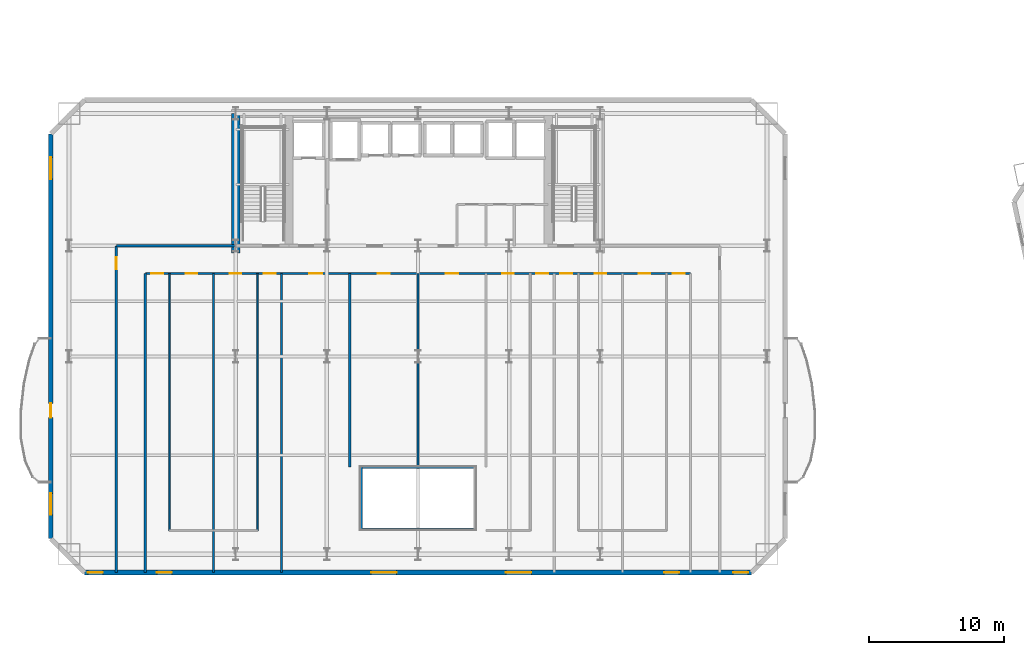
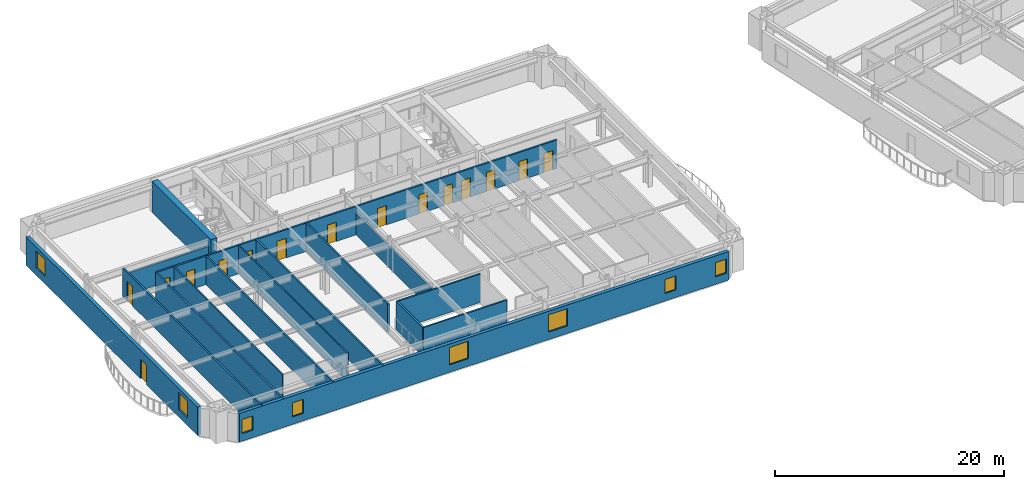
# One storey, part 5 of 17: 16 walls, 15 doors, 8 windows, 23 openings.
"""IFC4 building model written with IfcOpenShell, lengths in metres."""

from ifc_helpers import new_model, si_unit, direction, frame, frame_2d, origin, place, context, subcontext, project, spatial, rectangle, extrude, material, layer, layer_set, type_object, element, fill, save


model = new_model("IFC4")

# Units and contexts
model_context = context("Model", 3, precision=1e-05, world=origin(), true_north=direction((0.0, 1.0)))
body_context = subcontext(model_context, "Body", "Model", "MODEL_VIEW")
ifc_project = project(units=[si_unit("LENGTHUNIT", "METRE"), si_unit("AREAUNIT", "SQUARE_METRE"), si_unit("VOLUMEUNIT", "CUBIC_METRE"), si_unit("PLANEANGLEUNIT", "RADIAN"), si_unit("MASSUNIT", "GRAM", prefix="KILO")], contexts=[model_context])

# Site, building, storey
site_placement = place(None, origin())
site = spatial("IfcSite", under=ifc_project, at=site_placement, CompositionType="ELEMENT")
building_placement = place(site_placement, origin())
building = spatial("IfcBuilding", under=site, at=building_placement, Name="Haevon Station Towers", CompositionType="ELEMENT")
storey_placement = place(building_placement, frame((0.0, 0.0, 33.89990234375)))
storey = spatial("IfcBuildingStorey", under=building, at=storey_placement, Name="L07", CompositionType="ELEMENT", Elevation=33.89990234375)

# Walls
ifc_material_1 = material(Name="Gypsum board on steel stud", Category="steel")
ifc_layer_1 = layer(ifc_material_1, 0.179931640625)
ifc_layer_set_1 = layer_set([ifc_layer_1], Name="Gypsum board on steel stud")
wall_type_1 = type_object("IfcWallType", Name="WL-ACU180", PredefinedType="PARTITIONING", material=ifc_layer_set_1)
wall_1_placement = place(storey_placement, frame((15.14990234375, 38.199951171875, 0.0), z_axis=(0.0, 0.0, 1.0), x_axis=(1.0, 0.0, 0.0)))
element("IfcWall", 1, at=wall_1_placement, inside=storey, type_object=wall_type_1, Name="WL-T1PT-L07-03", PredefinedType="PARTITIONING", context=body_context, shape_type="SweptSolid", body=[
    extrude(rectangle(XDim=8.85009765625, YDim=0.179931640625, at=frame_2d((4.425048828125, 0.0))), origin(), (0.0, 0.0, 1.0), 2.330078125),
])
wall_2_placement = place(storey_placement, frame((33.300048828125, 17.199951171875, 0.0), z_axis=(0.0, 0.0, 1.0), x_axis=(0.0, 1.0, 0.0)))
element("IfcWall", 2, at=wall_2_placement, inside=storey, type_object=wall_type_1, Name="WL-T1PT-L07-09", PredefinedType="PARTITIONING", context=body_context, shape_type="SweptSolid", body=[
    extrude(rectangle(XDim=4.60009765625, YDim=0.179931640625, at=frame_2d((2.300048828125, 0.0))), origin(), (0.0, 0.0, 1.0), 3.030029296875),
])
wall_3_placement = place(storey_placement, frame((37.5, 21.800048828125, 0.0), z_axis=(0.0, 0.0, 1.0), x_axis=(0.0, 1.0, 0.0)))
element("IfcWall", 3, at=wall_3_placement, inside=storey, type_object=wall_type_1, Name="WL-T1PT-L07-18", PredefinedType="PARTITIONING", context=body_context, shape_type="SweptSolid", body=[
    extrude(rectangle(XDim=14.349853515625, YDim=0.179931640625, at=frame_2d((7.1748046875, 0.0))), origin(), (0.0, 0.0, 1.0), 2.330078125),
])

# Wall, openings, doors
wall_4_placement = place(storey_placement, frame((17.300048828125, 36.14990234375, 0.0), z_axis=(0.0, 0.0, 1.0), x_axis=(1.0, 0.0, 0.0)))
wall_4 = element("IfcWall", 4, at=wall_4_placement, inside=storey, type_object=wall_type_1, Name="WL-T1PT-L07-30", PredefinedType="PARTITIONING", context=body_context, shape_type="SweptSolid", body=[
    extrude(rectangle(XDim=40.39990234375, YDim=0.179931640625, at=frame_2d((20.199951171875, 0.0))), origin(), (0.0, 0.0, 1.0), 3.030029296875),
])
opening_1_placement = place(wall_4_placement, frame((2.989990234375, 0.0, 0.0)))
opening_1 = element("IfcOpeningElement", 5, at=opening_1_placement, cuts=wall_4, Name="Opening DR-WL-T1PT-L07-30-01", PredefinedType="OPENING", context=body_context, shape_type="SweptSolid", body=[
    extrude(rectangle(XDim=0.85009765625, YDim=2.050048828125, at=frame_2d((0.425048828125, 1.02490234375))), frame((0.0, 0.099853515625, 0.0), z_axis=(0.0, -1.0, 0.0), x_axis=(1.0, 0.0, 0.0)), (0.0, 0.0, 1.0), 0.199951171875),
])
opening_2_placement = place(wall_4_placement, frame((0.43994140625, 0.0, 0.0)))
opening_2 = element("IfcOpeningElement", 6, at=opening_2_placement, cuts=wall_4, Name="Opening DR-WL-T1PT-L07-30-02", PredefinedType="OPENING", context=body_context, shape_type="SweptSolid", body=[
    extrude(rectangle(XDim=0.89990234375, YDim=2.050048828125, at=frame_2d((0.449951171875, 1.02490234375))), frame((0.0, 0.099853515625, 0.0), z_axis=(0.0, -1.0, 0.0), x_axis=(1.0, 0.0, 0.0)), (0.0, 0.0, 1.0), 0.199951171875),
])
opening_3_placement = place(wall_4_placement, frame((6.260009765625, 0.0, 0.0)))
opening_3 = element("IfcOpeningElement", 7, at=opening_3_placement, cuts=wall_4, Name="Opening DR-WL-T1PT-L07-30-03", PredefinedType="OPENING", context=body_context, shape_type="SweptSolid", body=[
    extrude(rectangle(XDim=0.85009765625, YDim=2.050048828125, at=frame_2d((0.425048828125, 1.02490234375))), frame((0.0, 0.099853515625, 0.0), z_axis=(0.0, -1.0, 0.0), x_axis=(1.0, 0.0, 0.0)), (0.0, 0.0, 1.0), 0.199951171875),
])
opening_4_placement = place(wall_4_placement, frame((8.760009765625, 0.0, 0.0)))
opening_4 = element("IfcOpeningElement", 8, at=opening_4_placement, cuts=wall_4, Name="Opening DR-WL-T1PT-L07-30-04", PredefinedType="OPENING", context=body_context, shape_type="SweptSolid", body=[
    extrude(rectangle(XDim=0.89990234375, YDim=2.050048828125, at=frame_2d((0.449951171875, 1.02490234375))), frame((0.0, 0.099853515625, 0.0), z_axis=(0.0, -1.0, 0.0), x_axis=(1.0, 0.0, 0.0)), (0.0, 0.0, 1.0), 0.199951171875),
])
opening_5_placement = place(wall_4_placement, frame((12.14990234375, 0.0, 0.0)))
opening_5 = element("IfcOpeningElement", 9, at=opening_5_placement, cuts=wall_4, Name="Opening DR-WL-T1PT-L07-30-05", PredefinedType="OPENING", context=body_context, shape_type="SweptSolid", body=[
    extrude(rectangle(XDim=0.949951171875, YDim=2.10009765625, at=frame_2d((0.47509765625, 1.050048828125))), frame((0.0, 0.099853515625, 0.0), z_axis=(0.0, -1.0, 0.0), x_axis=(1.0, 0.0, 0.0)), (0.0, 0.0, 1.0), 0.199951171875),
])
opening_6_placement = place(wall_4_placement, frame((17.22509765625, 0.0, 0.0)))
opening_6 = element("IfcOpeningElement", 10, at=opening_6_placement, cuts=wall_4, Name="Opening DR-WL-T1PT-L07-30-06", PredefinedType="OPENING", context=body_context, shape_type="SweptSolid", body=[
    extrude(rectangle(XDim=0.89990234375, YDim=2.050048828125, at=frame_2d((0.449951171875, 1.02490234375))), frame((0.0, 0.099853515625, 0.0), z_axis=(0.0, -1.0, 0.0), x_axis=(1.0, 0.0, 0.0)), (0.0, 0.0, 1.0), 0.199951171875),
])
opening_7_placement = place(wall_4_placement, frame((22.27490234375, 0.0, 0.0)))
opening_7 = element("IfcOpeningElement", 11, at=opening_7_placement, cuts=wall_4, Name="Opening DR-WL-T1PT-L07-30-07", PredefinedType="OPENING", context=body_context, shape_type="SweptSolid", body=[
    extrude(rectangle(XDim=0.89990234375, YDim=2.050048828125, at=frame_2d((0.449951171875, 1.02490234375))), frame((0.0, 0.099853515625, 0.0), z_axis=(0.0, -1.0, 0.0), x_axis=(1.0, 0.0, 0.0)), (0.0, 0.0, 1.0), 0.199951171875),
])
opening_8_placement = place(wall_4_placement, frame((26.4599609375, 0.0, 0.0)))
opening_8 = element("IfcOpeningElement", 12, at=opening_8_placement, cuts=wall_4, Name="Opening DR-WL-T1PT-L07-30-08", PredefinedType="OPENING", context=body_context, shape_type="SweptSolid", body=[
    extrude(rectangle(XDim=0.85009765625, YDim=2.050048828125, at=frame_2d((0.425048828125, 1.02490234375))), frame((0.0, 0.099853515625, 0.0), z_axis=(0.0, -1.0, 0.0), x_axis=(1.0, 0.0, 0.0)), (0.0, 0.0, 1.0), 0.199951171875),
])
opening_9_placement = place(wall_4_placement, frame((28.9599609375, 0.0, 0.0)))
opening_9 = element("IfcOpeningElement", 13, at=opening_9_placement, cuts=wall_4, Name="Opening DR-WL-T1PT-L07-30-09", PredefinedType="OPENING", context=body_context, shape_type="SweptSolid", body=[
    extrude(rectangle(XDim=0.89990234375, YDim=2.050048828125, at=frame_2d((0.449951171875, 1.02490234375))), frame((0.0, 0.099853515625, 0.0), z_axis=(0.0, -1.0, 0.0), x_axis=(1.0, 0.0, 0.0)), (0.0, 0.0, 1.0), 0.199951171875),
])
opening_10_placement = place(wall_4_placement, frame((33.2900390625, 0.0, 0.0)))
opening_10 = element("IfcOpeningElement", 14, at=opening_10_placement, cuts=wall_4, Name="Opening DR-WL-T1PT-L07-30-10", PredefinedType="OPENING", context=body_context, shape_type="SweptSolid", body=[
    extrude(rectangle(XDim=0.85009765625, YDim=2.050048828125, at=frame_2d((0.425048828125, 1.02490234375))), frame((0.0, 0.099853515625, 0.0), z_axis=(0.0, -1.0, 0.0), x_axis=(1.0, 0.0, 0.0)), (0.0, 0.0, 1.0), 0.199951171875),
])
opening_11_placement = place(wall_4_placement, frame((30.739990234375, 0.0, 0.0)))
opening_11 = element("IfcOpeningElement", 15, at=opening_11_placement, cuts=wall_4, Name="Opening DR-WL-T1PT-L07-30-11", PredefinedType="OPENING", context=body_context, shape_type="SweptSolid", body=[
    extrude(rectangle(XDim=0.89990234375, YDim=2.050048828125, at=frame_2d((0.449951171875, 1.02490234375))), frame((0.0, 0.099853515625, 0.0), z_axis=(0.0, -1.0, 0.0), x_axis=(1.0, 0.0, 0.0)), (0.0, 0.0, 1.0), 0.199951171875),
])
opening_12_placement = place(wall_4_placement, frame((36.56005859375, 0.0, 0.0)))
opening_12 = element("IfcOpeningElement", 16, at=opening_12_placement, cuts=wall_4, Name="Opening DR-WL-T1PT-L07-30-12", PredefinedType="OPENING", context=body_context, shape_type="SweptSolid", body=[
    extrude(rectangle(XDim=0.85009765625, YDim=2.050048828125, at=frame_2d((0.425048828125, 1.02490234375))), frame((0.0, 0.099853515625, 0.0), z_axis=(0.0, -1.0, 0.0), x_axis=(1.0, 0.0, 0.0)), (0.0, 0.0, 1.0), 0.199951171875),
])
opening_13_placement = place(wall_4_placement, frame((39.06005859375, 0.0, 0.0)))
opening_13 = element("IfcOpeningElement", 17, at=opening_13_placement, cuts=wall_4, Name="Opening DR-WL-T1PT-L07-30-13", PredefinedType="OPENING", context=body_context, shape_type="SweptSolid", body=[
    extrude(rectangle(XDim=0.89990234375, YDim=2.050048828125, at=frame_2d((0.449951171875, 1.02490234375))), frame((0.0, 0.099853515625, 0.0), z_axis=(0.0, -1.0, 0.0), x_axis=(1.0, 0.0, 0.0)), (0.0, 0.0, 1.0), 0.199951171875),
])
ifc_material_2 = material(Name="Engineered oak timber", Category="wood")
door_type_1 = type_object("IfcDoorType", Name="DR-FD30-850", OperationType="NOTDEFINED", PredefinedType="DOOR", material=ifc_material_2)
door_1_placement = place(opening_1_placement, origin())
door_1 = element("IfcDoor", 18, at=door_1_placement, inside=storey, type_object=door_type_1, Name="L07 Tower 1 Room Door 30-1", OperationType="SINGLE_SWING_LEFT", OverallHeight=2.050048828125, OverallWidth=0.85009765625, PredefinedType="DOOR", context=body_context, shape_type="SweptSolid", body=[
    extrude(rectangle(XDim=0.85009765625, YDim=2.050048828125, at=frame_2d((0.425048828125, 1.02490234375))), frame((0.0, 0.02490234375, 0.0), z_axis=(0.0, -1.0, 0.0), x_axis=(1.0, 0.0, 0.0)), (0.0, 0.0, 1.0), 0.050048828125),
])
fill(opening_1, door_1)
door_2_placement = place(opening_3_placement, origin())
door_2 = element("IfcDoor", 19, at=door_2_placement, inside=storey, type_object=door_type_1, Name="L07 Tower 1 Room Door 30-3", OperationType="SINGLE_SWING_LEFT", OverallHeight=2.050048828125, OverallWidth=0.85009765625, PredefinedType="DOOR", context=body_context, shape_type="SweptSolid", body=[
    extrude(rectangle(XDim=0.85009765625, YDim=2.050048828125, at=frame_2d((0.425048828125, 1.02490234375))), frame((0.0, 0.02490234375, 0.0), z_axis=(0.0, -1.0, 0.0), x_axis=(1.0, 0.0, 0.0)), (0.0, 0.0, 1.0), 0.050048828125),
])
fill(opening_3, door_2)
door_3_placement = place(opening_8_placement, origin())
door_3 = element("IfcDoor", 20, at=door_3_placement, inside=storey, type_object=door_type_1, Name="L07 Tower 1 Room Door 30-8", OperationType="SINGLE_SWING_RIGHT", OverallHeight=2.050048828125, OverallWidth=0.85009765625, PredefinedType="DOOR", context=body_context, shape_type="SweptSolid", body=[
    extrude(rectangle(XDim=0.85009765625, YDim=2.050048828125, at=frame_2d((0.425048828125, 1.02490234375))), frame((0.0, 0.02490234375, 0.0), z_axis=(0.0, -1.0, 0.0), x_axis=(1.0, 0.0, 0.0)), (0.0, 0.0, 1.0), 0.050048828125),
])
fill(opening_8, door_3)
door_4_placement = place(opening_10_placement, origin())
door_4 = element("IfcDoor", 21, at=door_4_placement, inside=storey, type_object=door_type_1, Name="L07 Tower 1 Room Door 30-10", OperationType="SINGLE_SWING_RIGHT", OverallHeight=2.050048828125, OverallWidth=0.85009765625, PredefinedType="DOOR", context=body_context, shape_type="SweptSolid", body=[
    extrude(rectangle(XDim=0.85009765625, YDim=2.050048828125, at=frame_2d((0.425048828125, 1.02490234375))), frame((0.0, 0.02490234375, 0.0), z_axis=(0.0, -1.0, 0.0), x_axis=(1.0, 0.0, 0.0)), (0.0, 0.0, 1.0), 0.050048828125),
])
fill(opening_10, door_4)
door_5_placement = place(opening_12_placement, origin())
door_5 = element("IfcDoor", 22, at=door_5_placement, inside=storey, type_object=door_type_1, Name="L07 Tower 1 Room Door 30-12", OperationType="SINGLE_SWING_RIGHT", OverallHeight=2.050048828125, OverallWidth=0.85009765625, PredefinedType="DOOR", context=body_context, shape_type="SweptSolid", body=[
    extrude(rectangle(XDim=0.85009765625, YDim=2.050048828125, at=frame_2d((0.425048828125, 1.02490234375))), frame((0.0, 0.02490234375, 0.0), z_axis=(0.0, -1.0, 0.0), x_axis=(1.0, 0.0, 0.0)), (0.0, 0.0, 1.0), 0.050048828125),
])
fill(opening_12, door_5)
door_type_2 = type_object("IfcDoorType", Name="DR-FD30-950", OperationType="NOTDEFINED", PredefinedType="DOOR", material=ifc_material_2)
door_6_placement = place(opening_5_placement, origin())
door_6 = element("IfcDoor", 23, at=door_6_placement, inside=storey, type_object=door_type_2, Name="L07 Tower 1 Room Door 30-5", OperationType="SINGLE_SWING_LEFT", OverallHeight=2.10009765625, OverallWidth=0.949951171875, PredefinedType="DOOR", context=body_context, shape_type="SweptSolid", body=[
    extrude(rectangle(XDim=0.949951171875, YDim=2.10009765625, at=frame_2d((0.47509765625, 1.050048828125))), frame((0.0, 0.02490234375, 0.0), z_axis=(0.0, -1.0, 0.0), x_axis=(1.0, 0.0, 0.0)), (0.0, 0.0, 1.0), 0.050048828125),
])
fill(opening_5, door_6)
door_type_3 = type_object("IfcDoorType", Name="DR-INT-900", OperationType="NOTDEFINED", PredefinedType="DOOR", material=ifc_material_2)
door_7_placement = place(opening_2_placement, origin())
door_7 = element("IfcDoor", 24, at=door_7_placement, inside=storey, type_object=door_type_3, Name="L07 Tower 1 Room Door 30-2", OperationType="SINGLE_SWING_RIGHT", OverallHeight=2.050048828125, OverallWidth=0.89990234375, PredefinedType="DOOR", context=body_context, shape_type="SweptSolid", body=[
    extrude(rectangle(XDim=0.89990234375, YDim=2.050048828125, at=frame_2d((0.449951171875, 1.02490234375))), frame((0.0, 0.02490234375, 0.0), z_axis=(0.0, -1.0, 0.0), x_axis=(1.0, 0.0, 0.0)), (0.0, 0.0, 1.0), 0.050048828125),
])
fill(opening_2, door_7)
door_8_placement = place(opening_4_placement, origin())
door_8 = element("IfcDoor", 25, at=door_8_placement, inside=storey, type_object=door_type_3, Name="L07 Tower 1 Room Door 30-4", OperationType="SINGLE_SWING_RIGHT", OverallHeight=2.050048828125, OverallWidth=0.89990234375, PredefinedType="DOOR", context=body_context, shape_type="SweptSolid", body=[
    extrude(rectangle(XDim=0.89990234375, YDim=2.050048828125, at=frame_2d((0.449951171875, 1.02490234375))), frame((0.0, 0.02490234375, 0.0), z_axis=(0.0, -1.0, 0.0), x_axis=(1.0, 0.0, 0.0)), (0.0, 0.0, 1.0), 0.050048828125),
])
fill(opening_4, door_8)
door_9_placement = place(opening_6_placement, origin())
door_9 = element("IfcDoor", 26, at=door_9_placement, inside=storey, type_object=door_type_3, Name="L07 Tower 1 Room Door 30-6", OperationType="SINGLE_SWING_RIGHT", OverallHeight=2.050048828125, OverallWidth=0.89990234375, PredefinedType="DOOR", context=body_context, shape_type="SweptSolid", body=[
    extrude(rectangle(XDim=0.89990234375, YDim=2.050048828125, at=frame_2d((0.449951171875, 1.02490234375))), frame((0.0, 0.02490234375, 0.0), z_axis=(0.0, -1.0, 0.0), x_axis=(1.0, 0.0, 0.0)), (0.0, 0.0, 1.0), 0.050048828125),
])
fill(opening_6, door_9)
door_10_placement = place(opening_7_placement, origin())
door_10 = element("IfcDoor", 27, at=door_10_placement, inside=storey, type_object=door_type_3, Name="L07 Tower 1 Room Door 30-7", OperationType="SINGLE_SWING_LEFT", OverallHeight=2.050048828125, OverallWidth=0.89990234375, PredefinedType="DOOR", context=body_context, shape_type="SweptSolid", body=[
    extrude(rectangle(XDim=0.89990234375, YDim=2.050048828125, at=frame_2d((0.449951171875, 1.02490234375))), frame((0.0, 0.02490234375, 0.0), z_axis=(0.0, -1.0, 0.0), x_axis=(1.0, 0.0, 0.0)), (0.0, 0.0, 1.0), 0.050048828125),
])
fill(opening_7, door_10)
door_11_placement = place(opening_9_placement, origin())
door_11 = element("IfcDoor", 28, at=door_11_placement, inside=storey, type_object=door_type_3, Name="L07 Tower 1 Room Door 30-9", OperationType="SINGLE_SWING_LEFT", OverallHeight=2.050048828125, OverallWidth=0.89990234375, PredefinedType="DOOR", context=body_context, shape_type="SweptSolid", body=[
    extrude(rectangle(XDim=0.89990234375, YDim=2.050048828125, at=frame_2d((0.449951171875, 1.02490234375))), frame((0.0, 0.02490234375, 0.0), z_axis=(0.0, -1.0, 0.0), x_axis=(1.0, 0.0, 0.0)), (0.0, 0.0, 1.0), 0.050048828125),
])
fill(opening_9, door_11)
door_12_placement = place(opening_11_placement, origin())
door_12 = element("IfcDoor", 29, at=door_12_placement, inside=storey, type_object=door_type_3, Name="L07 Tower 1 Room Door 30-11", OperationType="SINGLE_SWING_LEFT", OverallHeight=2.050048828125, OverallWidth=0.89990234375, PredefinedType="DOOR", context=body_context, shape_type="SweptSolid", body=[
    extrude(rectangle(XDim=0.89990234375, YDim=2.050048828125, at=frame_2d((0.449951171875, 1.02490234375))), frame((0.0, 0.02490234375, 0.0), z_axis=(0.0, -1.0, 0.0), x_axis=(1.0, 0.0, 0.0)), (0.0, 0.0, 1.0), 0.050048828125),
])
fill(opening_11, door_12)
door_13_placement = place(opening_13_placement, origin())
door_13 = element("IfcDoor", 30, at=door_13_placement, inside=storey, type_object=door_type_3, Name="L07 Tower 1 Room Door 30-13", OperationType="SINGLE_SWING_LEFT", OverallHeight=2.050048828125, OverallWidth=0.89990234375, PredefinedType="DOOR", context=body_context, shape_type="SweptSolid", body=[
    extrude(rectangle(XDim=0.89990234375, YDim=2.050048828125, at=frame_2d((0.449951171875, 1.02490234375))), frame((0.0, 0.02490234375, 0.0), z_axis=(0.0, -1.0, 0.0), x_axis=(1.0, 0.0, 0.0)), (0.0, 0.0, 1.0), 0.050048828125),
])
fill(opening_13, door_13)

# Wall
ifc_material_3 = material(Name="Concrete C60/75", Category="concrete")
ifc_layer_2 = layer(ifc_material_3, 0.60009765625)
ifc_layer_set_2 = layer_set([ifc_layer_2], Name="Concrete C60/75")
wall_type_2 = type_object("IfcWallType", Name="WL-CR600", PredefinedType="SHEAR", material=ifc_layer_set_2)
wall_5_placement = place(storey_placement, frame((24.0, 37.679931640625, 0.0), z_axis=(0.0, 0.0, 1.0), x_axis=(0.0, 1.0, 0.0)))
element("IfcWall", 31, at=wall_5_placement, inside=storey, type_object=wall_type_2, Name="WL-T1CR-L07-W", PredefinedType="SHEAR", context=body_context, shape_type="SweptSolid", body=[
    extrude(rectangle(XDim=10.320068359375, YDim=0.60009765625, at=frame_2d((5.16015625, 0.0))), origin(), (0.0, 0.0, 1.0), 3.300048828125),
])

# Wall, openings, windows
ifc_material_4 = material(Name="Precast concrete C45/55", Category="concrete")
ifc_layer_3 = layer(ifc_material_4, 0.340087890625)
ifc_layer_set_3 = layer_set([ifc_layer_3], Name="Precast concrete C45/55")
wall_type_3 = type_object("IfcWallType", Name="WL-EXT-PIER340", PredefinedType="SOLIDWALL", material=ifc_layer_set_3)
wall_6_placement = place(storey_placement, frame((62.199951171875, 14.0, 0.0), z_axis=(0.0, 0.0, 1.0), x_axis=(-1.0, 0.0, 0.0)))
wall_6 = element("IfcWall", 32, at=wall_6_placement, inside=storey, type_object=wall_type_3, Name="WL-T1-L07-S", PredefinedType="SOLIDWALL", context=body_context, shape_type="SweptSolid", body=[
    extrude(rectangle(XDim=49.39990234375, YDim=0.340087890625, at=frame_2d((24.699951171875, 0.0))), origin(), (0.0, 0.0, 1.0), 3.030029296875),
])
opening_14_placement = place(wall_6_placement, frame((48.050048828125, 0.0, 0.800048828125)))
opening_14 = element("IfcOpeningElement", 33, at=opening_14_placement, cuts=wall_6, Name="Opening WN-COR110", PredefinedType="OPENING", context=body_context, shape_type="SweptSolid", body=[
    extrude(rectangle(XDim=1.10009765625, YDim=1.5, at=frame_2d((0.550048828125, 0.75))), frame((0.0, 0.179931640625, 0.0), z_axis=(0.0, -1.0, 0.0), x_axis=(1.0, 0.0, 0.0)), (0.0, 0.0, 1.0), 0.360107421875),
])
opening_15_placement = place(wall_6_placement, frame((0.25, 0.0, 0.800048828125)))
opening_15 = element("IfcOpeningElement", 34, at=opening_15_placement, cuts=wall_6, Name="Opening WN-COR110", PredefinedType="OPENING", context=body_context, shape_type="SweptSolid", body=[
    extrude(rectangle(XDim=1.10009765625, YDim=1.5, at=frame_2d((0.550048828125, 0.75))), frame((0.0, 0.179931640625, 0.0), z_axis=(0.0, -1.0, 0.0), x_axis=(1.0, 0.0, 0.0)), (0.0, 0.0, 1.0), 0.360107421875),
])
opening_16_placement = place(wall_6_placement, frame((42.94140625, 0.0, 0.800048828125)))
opening_16 = element("IfcOpeningElement", 35, at=opening_16_placement, cuts=wall_6, Name="Opening WN-COR110", PredefinedType="OPENING", context=body_context, shape_type="SweptSolid", body=[
    extrude(rectangle(XDim=1.10009765625, YDim=1.5, at=frame_2d((0.550048828125, 0.75))), frame((0.0, 0.179931640625, 0.0), z_axis=(0.0, -1.0, 0.0), x_axis=(1.0, 0.0, 0.0)), (0.0, 0.0, 1.0), 0.360107421875),
])
opening_17_placement = place(wall_6_placement, frame((26.27490234375, 0.0, 0.800048828125)))
opening_17 = element("IfcOpeningElement", 36, at=opening_17_placement, cuts=wall_6, Name="Opening WN-P190", PredefinedType="OPENING", context=body_context, shape_type="SweptSolid", body=[
    extrude(rectangle(XDim=1.89990234375, YDim=1.85009765625, at=frame_2d((0.949951171875, 0.925048828125))), frame((0.0, 0.179931640625, 0.0), z_axis=(0.0, -1.0, 0.0), x_axis=(1.0, 0.0, 0.0)), (0.0, 0.0, 1.0), 0.360107421875),
])
opening_18_placement = place(wall_6_placement, frame((16.29443359375, 0.0, 0.800048828125)))
opening_18 = element("IfcOpeningElement", 37, at=opening_18_placement, cuts=wall_6, Name="Opening WN-P190", PredefinedType="OPENING", context=body_context, shape_type="SweptSolid", body=[
    extrude(rectangle(XDim=1.89990234375, YDim=1.85009765625, at=frame_2d((0.949951171875, 0.925048828125))), frame((0.0, 0.179931640625, 0.0), z_axis=(0.0, -1.0, 0.0), x_axis=(1.0, 0.0, 0.0)), (0.0, 0.0, 1.0), 0.360107421875),
])
opening_19_placement = place(wall_6_placement, frame((5.3583984375, 0.0, 0.800048828125)))
opening_19 = element("IfcOpeningElement", 38, at=opening_19_placement, cuts=wall_6, Name="Opening WN-COR110", PredefinedType="OPENING", context=body_context, shape_type="SweptSolid", body=[
    extrude(rectangle(XDim=1.10009765625, YDim=1.5, at=frame_2d((0.550048828125, 0.75))), frame((0.0, 0.179931640625, 0.0), z_axis=(0.0, -1.0, 0.0), x_axis=(1.0, 0.0, 0.0)), (0.0, 0.0, 1.0), 0.360107421875),
])
ifc_material_5 = material(Name="Low-E triple glazing in thermally broken aluminium", Category="aluminium")
window_type_1 = type_object("IfcWindowType", Name="WN-COR110", PartitioningType="SINGLE_PANEL", PredefinedType="WINDOW", material=ifc_material_5)
window_1_placement = place(opening_14_placement, origin())
window_1 = element("IfcWindow", 39, at=window_1_placement, inside=storey, type_object=window_type_1, Name="WN-T1-L07-S01", OverallHeight=1.5, OverallWidth=1.10009765625, PartitioningType="SINGLE_PANEL", PredefinedType="WINDOW", context=body_context, shape_type="SweptSolid", body=[
    extrude(rectangle(XDim=1.10009765625, YDim=1.5, at=frame_2d((0.550048828125, 0.75))), frame((0.0, 0.030029296875, 0.0), z_axis=(0.0, -1.0, 0.0), x_axis=(1.0, 0.0, 0.0)), (0.0, 0.0, 1.0), 0.06005859375),
])
fill(opening_14, window_1)
window_2_placement = place(opening_15_placement, origin())
window_2 = element("IfcWindow", 40, at=window_2_placement, inside=storey, type_object=window_type_1, Name="WN-T1-L07-S02", OverallHeight=1.5, OverallWidth=1.10009765625, PartitioningType="SINGLE_PANEL", PredefinedType="WINDOW", context=body_context, shape_type="SweptSolid", body=[
    extrude(rectangle(XDim=1.10009765625, YDim=1.5, at=frame_2d((0.550048828125, 0.75))), frame((0.0, 0.030029296875, 0.0), z_axis=(0.0, -1.0, 0.0), x_axis=(1.0, 0.0, 0.0)), (0.0, 0.0, 1.0), 0.06005859375),
])
fill(opening_15, window_2)
window_3_placement = place(opening_16_placement, origin())
window_3 = element("IfcWindow", 41, at=window_3_placement, inside=storey, type_object=window_type_1, Name="WN-T1-L07-S03", OverallHeight=1.5, OverallWidth=1.10009765625, PartitioningType="SINGLE_PANEL", PredefinedType="WINDOW", context=body_context, shape_type="SweptSolid", body=[
    extrude(rectangle(XDim=1.10009765625, YDim=1.5, at=frame_2d((0.550048828125, 0.75))), frame((0.0, 0.030029296875, 0.0), z_axis=(0.0, -1.0, 0.0), x_axis=(1.0, 0.0, 0.0)), (0.0, 0.0, 1.0), 0.06005859375),
])
fill(opening_16, window_3)
window_4_placement = place(opening_19_placement, origin())
window_4 = element("IfcWindow", 42, at=window_4_placement, inside=storey, type_object=window_type_1, Name="WN-T1-L07-S06", OverallHeight=1.5, OverallWidth=1.10009765625, PartitioningType="SINGLE_PANEL", PredefinedType="WINDOW", context=body_context, shape_type="SweptSolid", body=[
    extrude(rectangle(XDim=1.10009765625, YDim=1.5, at=frame_2d((0.550048828125, 0.75))), frame((0.0, 0.030029296875, 0.0), z_axis=(0.0, -1.0, 0.0), x_axis=(1.0, 0.0, 0.0)), (0.0, 0.0, 1.0), 0.06005859375),
])
fill(opening_19, window_4)
window_type_2 = type_object("IfcWindowType", Name="WN-P190", PartitioningType="SINGLE_PANEL", PredefinedType="WINDOW", material=ifc_material_5)
window_5_placement = place(opening_17_placement, origin())
window_5 = element("IfcWindow", 43, at=window_5_placement, inside=storey, type_object=window_type_2, Name="WN-T1-L07-S04", OverallHeight=1.85009765625, OverallWidth=1.89990234375, PartitioningType="SINGLE_PANEL", PredefinedType="WINDOW", context=body_context, shape_type="SweptSolid", body=[
    extrude(rectangle(XDim=1.89990234375, YDim=1.85009765625, at=frame_2d((0.949951171875, 0.925048828125))), frame((0.0, 0.030029296875, 0.0), z_axis=(0.0, -1.0, 0.0), x_axis=(1.0, 0.0, 0.0)), (0.0, 0.0, 1.0), 0.06005859375),
])
fill(opening_17, window_5)
window_6_placement = place(opening_18_placement, origin())
window_6 = element("IfcWindow", 44, at=window_6_placement, inside=storey, type_object=window_type_2, Name="WN-T1-L07-S05", OverallHeight=1.85009765625, OverallWidth=1.89990234375, PartitioningType="SINGLE_PANEL", PredefinedType="WINDOW", context=body_context, shape_type="SweptSolid", body=[
    extrude(rectangle(XDim=1.89990234375, YDim=1.85009765625, at=frame_2d((0.949951171875, 0.925048828125))), frame((0.0, 0.030029296875, 0.0), z_axis=(0.0, -1.0, 0.0), x_axis=(1.0, 0.0, 0.0)), (0.0, 0.0, 1.0), 0.06005859375),
])
fill(opening_18, window_6)

# Wall, openings, door, windows
wall_7_placement = place(storey_placement, frame((10.300048828125, 16.5, 0.0), z_axis=(0.0, 0.0, 1.0), x_axis=(0.0, 1.0, 0.0)))
wall_7 = element("IfcWall", 45, at=wall_7_placement, inside=storey, type_object=wall_type_3, Name="WL-T1-L07-W", PredefinedType="SOLIDWALL", context=body_context, shape_type="SweptSolid", body=[
    extrude(rectangle(XDim=30.0, YDim=0.340087890625, at=frame_2d((15.0, 0.0))), origin(), (0.0, 0.0, 1.0), 3.030029296875),
])
opening_20_placement = place(wall_7_placement, frame((8.97509765625, 0.0, 0.0)))
opening_20 = element("IfcOpeningElement", 46, at=opening_20_placement, cuts=wall_7, Name="Opening DR-T1-SCAL-L07-W", PredefinedType="OPENING", context=body_context, shape_type="SweptSolid", body=[
    extrude(rectangle(XDim=1.050048828125, YDim=2.10009765625, at=frame_2d((0.52490234375, 1.050048828125))), frame((0.0, 0.179931640625, 0.0), z_axis=(0.0, -1.0, 0.0), x_axis=(1.0, 0.0, 0.0)), (0.0, 0.0, 1.0), 0.360107421875),
])
opening_21_placement = place(wall_7_placement, frame((1.757080078125, 0.0, 0.800048828125)))
opening_21 = element("IfcOpeningElement", 47, at=opening_21_placement, cuts=wall_7, Name="Opening WN-END160", PredefinedType="OPENING", context=body_context, shape_type="SweptSolid", body=[
    extrude(rectangle(XDim=1.60009765625, YDim=1.800048828125, at=frame_2d((0.800048828125, 0.89990234375))), frame((0.0, 0.179931640625, 0.0), z_axis=(0.0, -1.0, 0.0), x_axis=(1.0, 0.0, 0.0)), (0.0, 0.0, 1.0), 0.360107421875),
])
opening_22_placement = place(wall_7_placement, frame((26.642822265625, 0.0, 0.800048828125)))
opening_22 = element("IfcOpeningElement", 48, at=opening_22_placement, cuts=wall_7, Name="Opening WN-END160", PredefinedType="OPENING", context=body_context, shape_type="SweptSolid", body=[
    extrude(rectangle(XDim=1.60009765625, YDim=1.800048828125, at=frame_2d((0.800048828125, 0.89990234375))), frame((0.0, 0.179931640625, 0.0), z_axis=(0.0, -1.0, 0.0), x_axis=(1.0, 0.0, 0.0)), (0.0, 0.0, 1.0), 0.360107421875),
])
ifc_material_6 = material(Name="Thermally broken anodised aluminium and laminated safety glass", Category="aluminium")
door_type_4 = type_object("IfcDoorType", Name="DR-BALC-1050", OperationType="NOTDEFINED", PredefinedType="DOOR", material=ifc_material_6)
door_14_placement = place(opening_20_placement, origin())
door_14 = element("IfcDoor", 49, at=door_14_placement, inside=storey, type_object=door_type_4, Name="Tower 1 L07 West Scalloped Balcony Door", OperationType="SINGLE_SWING_RIGHT", OverallHeight=2.10009765625, OverallWidth=1.050048828125, PredefinedType="DOOR", context=body_context, shape_type="SweptSolid", body=[
    extrude(rectangle(XDim=1.050048828125, YDim=2.10009765625, at=frame_2d((0.52490234375, 1.050048828125))), frame((0.0, 0.02490234375, 0.0), z_axis=(0.0, -1.0, 0.0), x_axis=(1.0, 0.0, 0.0)), (0.0, 0.0, 1.0), 0.050048828125),
])
fill(opening_20, door_14)
window_type_3 = type_object("IfcWindowType", Name="WN-END160", PartitioningType="SINGLE_PANEL", PredefinedType="WINDOW", material=ifc_material_5)
window_7_placement = place(opening_21_placement, origin())
window_7 = element("IfcWindow", 50, at=window_7_placement, inside=storey, type_object=window_type_3, Name="WN-T1-L07-W01", OverallHeight=1.800048828125, OverallWidth=1.60009765625, PartitioningType="SINGLE_PANEL", PredefinedType="WINDOW", context=body_context, shape_type="SweptSolid", body=[
    extrude(rectangle(XDim=1.60009765625, YDim=1.800048828125, at=frame_2d((0.800048828125, 0.89990234375))), frame((0.0, 0.030029296875, 0.0), z_axis=(0.0, -1.0, 0.0), x_axis=(1.0, 0.0, 0.0)), (0.0, 0.0, 1.0), 0.06005859375),
])
fill(opening_21, window_7)
window_8_placement = place(opening_22_placement, origin())
window_8 = element("IfcWindow", 51, at=window_8_placement, inside=storey, type_object=window_type_3, Name="WN-T1-L07-W02", OverallHeight=1.800048828125, OverallWidth=1.60009765625, PartitioningType="SINGLE_PANEL", PredefinedType="WINDOW", context=body_context, shape_type="SweptSolid", body=[
    extrude(rectangle(XDim=1.60009765625, YDim=1.800048828125, at=frame_2d((0.800048828125, 0.89990234375))), frame((0.0, 0.030029296875, 0.0), z_axis=(0.0, -1.0, 0.0), x_axis=(1.0, 0.0, 0.0)), (0.0, 0.0, 1.0), 0.06005859375),
])
fill(opening_22, window_8)

# Walls
ifc_layer_4 = layer(ifc_material_1, 0.125)
ifc_layer_set_4 = layer_set([ifc_layer_4], Name="Gypsum board on steel stud")
wall_type_4 = type_object("IfcWallType", Name="WL-PRT125", PredefinedType="PARTITIONING", material=ifc_layer_set_4)
for number, where, z_axis, x_axis, name in (
    (52, (19.080078125, 17.10009765625, 0.0), (0.0, 0.0, 1.0), (0.0, 1.0, 0.0), "WL-T1PT-L07-12"),
    (53, (25.6201171875, 17.10009765625, 0.0), (0.0, 0.0, 1.0), (0.0, 1.0, 0.0), "WL-T1PT-L07-15"),
):
    element("IfcWall", number, at=place(storey_placement, frame(where, z_axis=z_axis, x_axis=x_axis)), inside=storey, type_object=wall_type_4, Name=name, PredefinedType="PARTITIONING", context=body_context, shape_type="SweptSolid", body=[
        extrude(rectangle(XDim=19.0498046875, YDim=0.125, at=frame_2d((9.52490234375, 0.0))), origin(), (0.0, 0.0, 1.0), 3.030029296875),
    ])
ifc_layer_5 = layer(ifc_material_1, 0.159912109375)
ifc_layer_set_5 = layer_set([ifc_layer_5], Name="Gypsum board on steel stud")
wall_type_5 = type_object("IfcWallType", Name="WL-PRT160", PredefinedType="PARTITIONING", material=ifc_layer_set_5)
wall_8_placement = place(storey_placement, frame((17.300048828125, 14.0, 0.0), z_axis=(0.0, 0.0, 1.0), x_axis=(0.0, 1.0, 0.0)))
element("IfcWall", 54, at=wall_8_placement, inside=storey, type_object=wall_type_5, Name="WL-T1PT-L07-01", PredefinedType="PARTITIONING", context=body_context, shape_type="SweptSolid", body=[
    extrude(rectangle(XDim=22.14990234375, YDim=0.159912109375, at=frame_2d((11.074951171875, 0.0))), origin(), (0.0, 0.0, 1.0), 3.030029296875),
])

# Wall, opening, door
wall_9_placement = place(storey_placement, frame((15.14990234375, 14.0, 0.0), z_axis=(0.0, 0.0, 1.0), x_axis=(0.0, 1.0, 0.0)))
wall_9 = element("IfcWall", 55, at=wall_9_placement, inside=storey, type_object=wall_type_5, Name="WL-T1PT-L07-05", PredefinedType="PARTITIONING", context=body_context, shape_type="SweptSolid", body=[
    extrude(rectangle(XDim=24.199951171875, YDim=0.159912109375, at=frame_2d((12.10009765625, 0.0))), origin(), (0.0, 0.0, 1.0), 3.030029296875),
])
opening_23_placement = place(wall_9_placement, frame((22.469970703125, 0.0, 0.0)))
opening_23 = element("IfcOpeningElement", 56, at=opening_23_placement, cuts=wall_9, Name="Opening DR-WL-T1PT-L07-05-01", PredefinedType="OPENING", context=body_context, shape_type="SweptSolid", body=[
    extrude(rectangle(XDim=0.89990234375, YDim=2.050048828125, at=frame_2d((0.449951171875, 1.02490234375))), frame((0.0, 0.08984375, 0.0), z_axis=(0.0, -1.0, 0.0), x_axis=(1.0, 0.0, 0.0)), (0.0, 0.0, 1.0), 0.179931640625),
])
door_15_placement = place(opening_23_placement, origin())
door_15 = element("IfcDoor", 57, at=door_15_placement, inside=storey, type_object=door_type_3, Name="L07 Tower 1 Room Door 5-1", OperationType="SINGLE_SWING_LEFT", OverallHeight=2.050048828125, OverallWidth=0.89990234375, PredefinedType="DOOR", context=body_context, shape_type="SweptSolid", body=[
    extrude(rectangle(XDim=0.89990234375, YDim=2.050048828125, at=frame_2d((0.449951171875, 1.02490234375))), frame((0.0, 0.02490234375, 0.0), z_axis=(0.0, -1.0, 0.0), x_axis=(1.0, 0.0, 0.0)), (0.0, 0.0, 1.0), 0.050048828125),
])
fill(opening_23, door_15)

# Walls
for number, where, z_axis, x_axis, name in (
    (58, (33.300048828125, 17.199951171875, 0.0), (0.0, 0.0, 1.0), (1.0, 0.0, 0.0), "WL-T1PT-L07-07"),
    (59, (33.300048828125, 21.800048828125, 0.0), (0.0, 0.0, 1.0), (1.0, 0.0, 0.0), "WL-T1PT-L07-08"),
):
    element("IfcWall", number, at=place(storey_placement, frame(where, z_axis=z_axis, x_axis=x_axis)), inside=storey, type_object=wall_type_5, Name=name, PredefinedType="PARTITIONING", context=body_context, shape_type="SweptSolid", body=[
        extrude(rectangle(XDim=8.39990234375, YDim=0.159912109375, at=frame_2d((4.199951171875, 0.0))), origin(), (0.0, 0.0, 1.0), 3.030029296875),
    ])
for number, where, z_axis, x_axis, name in (
    (60, (22.35009765625, 14.0, 0.0), (0.0, 0.0, 1.0), (0.0, 1.0, 0.0), "WL-T1PT-L07-13"),
    (61, (27.39990234375, 14.0, 0.0), (0.0, 0.0, 1.0), (0.0, 1.0, 0.0), "WL-T1PT-L07-16"),
):
    element("IfcWall", number, at=place(storey_placement, frame(where, z_axis=z_axis, x_axis=x_axis)), inside=storey, type_object=wall_type_5, Name=name, PredefinedType="PARTITIONING", context=body_context, shape_type="SweptSolid", body=[
        extrude(rectangle(XDim=22.14990234375, YDim=0.159912109375, at=frame_2d((11.074951171875, 0.0))), origin(), (0.0, 0.0, 1.0), 3.030029296875),
    ])
wall_10_placement = place(storey_placement, frame((32.449951171875, 21.800048828125, 0.0), z_axis=(0.0, 0.0, 1.0), x_axis=(0.0, 1.0, 0.0)))
element("IfcWall", 62, at=wall_10_placement, inside=storey, type_object=wall_type_5, Name="WL-T1PT-L07-17", PredefinedType="PARTITIONING", context=body_context, shape_type="SweptSolid", body=[
    extrude(rectangle(XDim=14.349853515625, YDim=0.159912109375, at=frame_2d((7.1748046875, 0.0))), origin(), (0.0, 0.0, 1.0), 3.030029296875),
])

save(model, "model.ifc")
